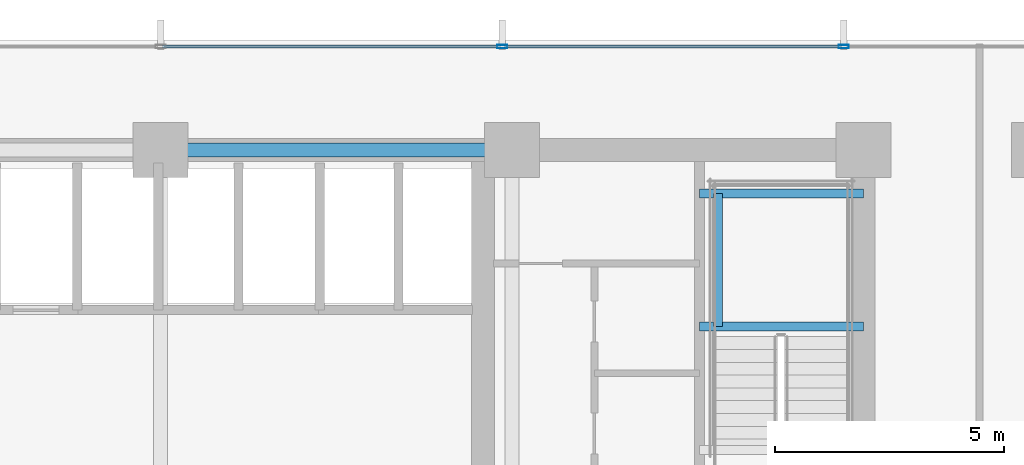
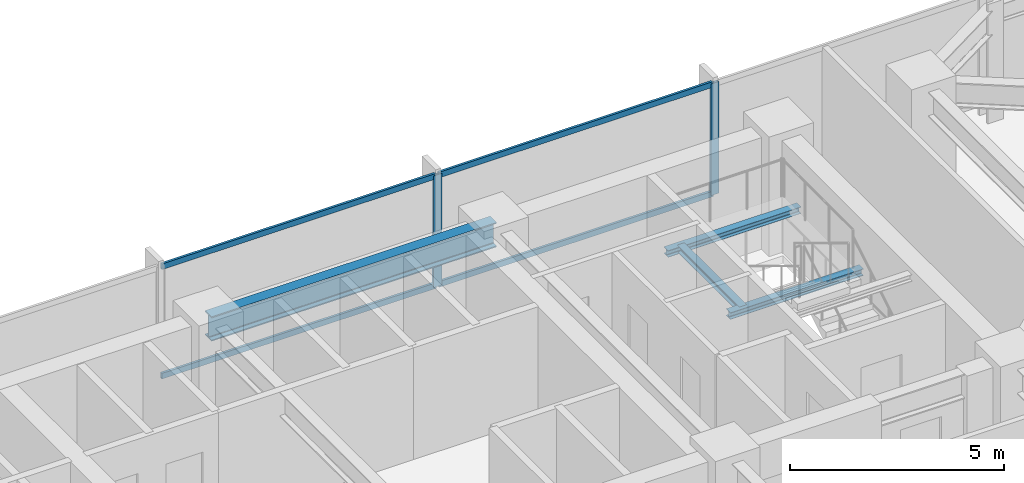
# One storey, part 19 of 32: 6 members, 4 beams, 1 element without a shape of its own.
"""IFC4 building model written with IfcOpenShell, lengths in metres."""

import ifcopenshell
import ifcopenshell.guid

model = None  # the IFC model being written
_history = None  # IfcOwnerHistory: only IFC2X3 demands one
_inside = {}  # id of a spatial element -> (the spatial element, [elements in it])
_under = {}  # id of a project, library or spatial element -> (it, [spatial elements below it])
_declared = {}  # id of a project -> (the project, [libraries it declares])
_typed = {}  # id of a type object -> (the type object, [elements of that type])
_made_of = {}  # id of a material, layer set ... -> (it, [elements and type objects made of it])


def new_model(schema):
    """Start an empty IFC model of exactly this schema.

    Asked for "IFC4X3", IfcOpenShell would pick the latest addendum, in which some entities
    have other attributes; the version numbers below select the first issue.
    IFC2X3 requires an IfcOwnerHistory on every rooted entity: one is made here for all.
    """
    global model, _history
    if schema == "IFC4X3":
        model = ifcopenshell.file(schema_version=(4, 3, 0, 0))
    else:
        model = ifcopenshell.file(schema=schema)
    _inside.clear()
    _under.clear()
    _declared.clear()
    _typed.clear()
    _made_of.clear()
    _history = None
    if model.schema == "IFC2X3":
        org = make("IfcOrganization", Name="unknown")
        user = make(
            "IfcPersonAndOrganization",
            ThePerson=make("IfcPerson", FamilyName="unknown"),
            TheOrganization=org,
        )
        app = make(
            "IfcApplication",
            ApplicationDeveloper=org,
            Version="unknown",
            ApplicationFullName="unknown",
            ApplicationIdentifier="unknown",
        )
        _history = make(
            "IfcOwnerHistory",
            OwningUser=user,
            OwningApplication=app,
            ChangeAction="ADDED",
            CreationDate=0,
        )
    return model


def make(cls, **values):
    """One entity of the class cls with the attributes given. An attribute that is None is left unset."""
    return model.create_entity(
        cls, **{name: value for name, value in values.items() if value is not None}
    )


def rooted(cls, **values):
    """An entity with a GlobalId (a new one), such as an element, a storey or a relation."""
    return make(cls, GlobalId=ifcopenshell.guid.new(), OwnerHistory=_history, **values)


def si_unit(unit_type, name, prefix=None):
    """IfcSIUnit, for example si_unit("LENGTHUNIT", "METRE", prefix="MILLI")."""
    return make("IfcSIUnit", UnitType=unit_type, Prefix=prefix, Name=name)


def assignment(units):
    """IfcUnitAssignment: the units of a project."""
    return None if units is None else make("IfcUnitAssignment", Units=units)


def point(xyz):
    """IfcCartesianPoint."""
    return None if xyz is None else make("IfcCartesianPoint", Coordinates=xyz)


def direction(xyz):
    """IfcDirection."""
    return None if xyz is None else make("IfcDirection", DirectionRatios=xyz)


def frame(location, z_axis=None, x_axis=None):
    """IfcAxis2Placement3D, a coordinate frame: its origin and axes. An axis left out is left unset."""
    return make(
        "IfcAxis2Placement3D",
        Location=point(location),
        Axis=direction(z_axis),
        RefDirection=direction(x_axis),
    )


def frame_2d(location, x_axis=None):
    """IfcAxis2Placement2D, a coordinate frame in the plane: its origin and x axis."""
    return make(
        "IfcAxis2Placement2D", Location=point(location), RefDirection=direction(x_axis)
    )


def origin():
    """The frame at (0, 0, 0) with its axes left unset."""
    return frame((0.0, 0.0, 0.0))


def origin_2d():
    """The frame at (0, 0) in the plane with its x axis left unset."""
    return frame_2d((0.0, 0.0))


def place(relative_to, where):
    """IfcLocalPlacement: puts the frame where relative to a parent placement (None: the world)."""
    return make(
        "IfcLocalPlacement", PlacementRelTo=relative_to, RelativePlacement=where
    )


def context(
    kind, dimensions, precision=None, world=None, true_north=None, identifier=None
):
    """IfcGeometricRepresentationContext, for example the 3D "Model" context."""
    return make(
        "IfcGeometricRepresentationContext",
        ContextIdentifier=identifier,
        ContextType=kind,
        CoordinateSpaceDimension=dimensions,
        Precision=precision,
        WorldCoordinateSystem=world,
        TrueNorth=true_north,
    )


def subcontext(parent, identifier, kind, view, scale=None):
    """IfcGeometricRepresentationSubContext, for example "Body" below "Model"."""
    return make(
        "IfcGeometricRepresentationSubContext",
        ContextIdentifier=identifier,
        ContextType=kind,
        ParentContext=parent,
        TargetScale=scale,
        TargetView=view,
    )


def project(units=None, contexts=None):
    """IfcProject with its units and contexts."""
    return rooted(
        "IfcProject",
        Name="project",
        RepresentationContexts=contexts,
        UnitsInContext=assignment(units),
    )


def spatial(cls, under=None, at=None, **own):
    """A site, building, storey or space (cls), placed at a placement, below another one or the project."""
    s = rooted(cls, ObjectPlacement=at, **own)
    if under is not None:
        _under.setdefault(under.id(), (under, []))[1].append(s)
    return s


def profile(cls, at=None, kind="AREA", **sizes):
    """A parametric profile (cls). Its sizes go by their IFC names, for example OverallWidth=200.0."""
    return make(cls, ProfileType=kind, Position=at, **sizes)


def hollow_rectangle(**sizes):
    """IfcRectangleHollowProfileDef."""
    return profile("IfcRectangleHollowProfileDef", **sizes)


def i_section(**sizes):
    """IfcIShapeProfileDef."""
    return profile("IfcIShapeProfileDef", **sizes)


def extrude(swept, where, along, depth):
    """IfcExtrudedAreaSolid: the profile swept, set in the frame where, extruded along a direction by depth."""
    return make(
        "IfcExtrudedAreaSolid",
        SweptArea=swept,
        Position=where,
        ExtrudedDirection=direction(along),
        Depth=depth,
    )


def shape(context_of_items, identifier, shape_type, items):
    """IfcShapeRepresentation: the items that make up one representation, for example the "Body"."""
    return make(
        "IfcShapeRepresentation",
        ContextOfItems=context_of_items,
        RepresentationIdentifier=identifier,
        RepresentationType=shape_type,
        Items=items,
    )


def material(Name=None, Category=None):
    """IfcMaterial."""
    return make("IfcMaterial", Name=Name, Category=Category)


def material_profile(
    of_material, cross_section, Name=None, Category=None, Priority=None
):
    """IfcMaterialProfile: a cross section and its material."""
    return make(
        "IfcMaterialProfile",
        Name=Name,
        Material=of_material,
        Profile=cross_section,
        Priority=Priority,
        Category=Category,
    )


def profile_set(profiles, Name=None, composite=None):
    """IfcMaterialProfileSet."""
    return make(
        "IfcMaterialProfileSet",
        Name=Name,
        MaterialProfiles=profiles,
        CompositeProfile=composite,
    )


def made_of(thing, what):
    """Note that an element or type object is made of a material, layer set ...; save() writes the relation."""
    if what is not None:
        _made_of.setdefault(what.id(), (what, []))[1].append(thing)
    return thing


def type_object(cls, material=None, **own):
    """A type object (cls), such as IfcWallType, which elements share."""
    return made_of(rooted(cls, **own), material)


def element(
    cls,
    number,
    at=None,
    inside=None,
    cuts=None,
    type_object=None,
    material=None,
    context=None,
    identifier="Body",
    shape_type=None,
    held_by="IfcProductDefinitionShape",
    body=None,
    shapes=None,
    **own,
):
    """One element of the class cls, such as IfcWall. Its Tag is "e" and its number.

    at: its placement. inside: the storey or other place that contains it. cuts: it is an
    opening in that element (IfcRelVoidsElement). A single representation is given by context,
    identifier, shape_type and body (its items); several are given by shapes. held_by: the class
    of the entity that holds the representations. save() writes the other relations.
    """
    e = rooted(cls, Tag="e%d" % number, ObjectPlacement=at, **own)
    if body is not None:
        shapes = [shape(context, identifier, shape_type, body)]
    if shapes is not None:
        e.Representation = make(held_by, Representations=shapes)
    if inside is not None:
        _inside.setdefault(inside.id(), (inside, []))[1].append(e)
    if cuts is not None:
        rooted(
            "IfcRelVoidsElement", RelatingBuildingElement=cuts, RelatedOpeningElement=e
        )
    if type_object is not None:
        _typed.setdefault(type_object.id(), (type_object, []))[1].append(e)
    return made_of(e, material)


def aggregate(whole, parts):
    """IfcRelAggregates: a whole, such as a stair, and the parts it consists of."""
    return rooted("IfcRelAggregates", RelatingObject=whole, RelatedObjects=parts)


def save(model, path):
    """Write the relations noted so far, then the file.

    IfcRelAggregates (storeys below a building ...), IfcRelContainedInSpatialStructure (elements
    in a storey), IfcRelDefinesByType, IfcRelAssociatesMaterial and IfcRelDeclares: one each for
    every whole, place, type object, material and project.
    """
    for whole, parts in _under.values():
        aggregate(whole, parts)
    for where, things in _inside.values():
        rooted(
            "IfcRelContainedInSpatialStructure",
            RelatedElements=things,
            RelatingStructure=where,
        )
    for kind, things in _typed.values():
        rooted("IfcRelDefinesByType", RelatedObjects=things, RelatingType=kind)
    for what, things in _made_of.values():
        rooted("IfcRelAssociatesMaterial", RelatedObjects=things, RelatingMaterial=what)
    for by, libraries in _declared.values():
        rooted("IfcRelDeclares", RelatingContext=by, RelatedDefinitions=libraries)
    model.write(path)


model = new_model("IFC4")

# Units and contexts
model_context = context("Model", 3, precision=1e-05, world=origin(), true_north=direction((0.0, 1.0)))
body_context = subcontext(model_context, "Body", "Model", "MODEL_VIEW")
ifc_project = project(units=[si_unit("LENGTHUNIT", "METRE"), si_unit("AREAUNIT", "SQUARE_METRE"), si_unit("VOLUMEUNIT", "CUBIC_METRE"), si_unit("PLANEANGLEUNIT", "RADIAN"), si_unit("MASSUNIT", "GRAM", prefix="KILO")], contexts=[model_context])

# Site, building, storey
site_placement = place(None, origin())
site = spatial("IfcSite", under=ifc_project, at=site_placement, CompositionType="ELEMENT")
building_placement = place(site_placement, origin())
building = spatial("IfcBuilding", under=site, at=building_placement, Name="Yelkora Congress Tower", CompositionType="ELEMENT")
storey_placement = place(building_placement, frame((0.0, 0.0, 33.800048828125)))
storey = spatial("IfcBuildingStorey", under=building, at=storey_placement, Name="L07", CompositionType="ELEMENT", Elevation=33.800048828125)

# Beams
ifc_material_1 = material(Name="Steel S355J2", Category="steel")
ifc_material_profile_1 = material_profile(ifc_material_1, i_section(OverallWidth=0.300048828125, OverallDepth=0.699951171875, WebThickness=0.01708984375, FlangeThickness=0.031982421875, FilletRadius=0.027099609375, at=origin_2d()), Name="HEB 700")
ifc_profile_set_1 = profile_set([ifc_material_profile_1], Name="Steel S355J2")
beam_type_1 = type_object("IfcBeamType", Name="BM-GIRD-HEB700", PredefinedType="BEAM", material=ifc_profile_set_1)
beam_1_placement = place(storey_placement, frame((38.39990234375, 46.199951171875, 2.829833984375), z_axis=(1.0, 0.0, 0.0), x_axis=(0.0, 1.0, 0.0)))
element("IfcBeam", 1, at=beam_1_placement, inside=storey, type_object=beam_type_1, Name="L07 Core North Girder 4", PredefinedType="BEAM", context=body_context, shape_type="SweptSolid", body=[
    extrude(i_section(OverallWidth=0.300048828125, OverallDepth=0.699951171875, WebThickness=0.01708984375, FlangeThickness=0.031982421875, FilletRadius=0.027099609375, at=origin_2d()), origin(), (0.0, 0.0, 1.0), 7.68017578125),
])
ifc_material_profile_2 = material_profile(ifc_material_1, i_section(OverallWidth=0.199951171875, OverallDepth=0.18994140625, WebThickness=0.006591796875, FlangeThickness=0.010009765625, FilletRadius=0.01806640625, at=origin_2d()), Name="HEA 200")
ifc_profile_set_2 = profile_set([ifc_material_profile_2], Name="Steel S355J2")
beam_type_2 = type_object("IfcBeamType", Name="BM-LAND-HEA200", PredefinedType="BEAM", material=ifc_profile_set_2)
for number, where, z_axis, x_axis, name in (
    (2, (50.179931640625, 42.340087890625, 1.384521484375), (1.0, 0.0, 0.0), (0.0, 1.0, 0.0), "ST-02 L07 Landing Header Beam 1S"),
    (3, (50.179931640625, 45.25, 1.384521484375), (1.0, 0.0, 0.0), (0.0, 1.0, 0.0), "ST-02 L07 Landing Header Beam 1N"),
):
    element("IfcBeam", number, at=place(storey_placement, frame(where, z_axis=z_axis, x_axis=x_axis)), inside=storey, type_object=beam_type_2, Name=name, PredefinedType="BEAM", context=body_context, shape_type="SweptSolid", body=[
        extrude(i_section(OverallWidth=0.199951171875, OverallDepth=0.18994140625, WebThickness=0.006591796875, FlangeThickness=0.010009765625, FilletRadius=0.01806640625, at=origin_2d()), origin(), (0.0, 0.0, 1.0), 3.580078125),
    ])
beam_2_placement = place(storey_placement, frame((50.580078125, 42.340087890625, 1.384521484375), z_axis=(0.0, 1.0, 0.0), x_axis=(-1.0, 0.0, 0.0)))
element("IfcBeam", 4, at=beam_2_placement, inside=storey, type_object=beam_type_2, Name="ST-02 L07 Landing Trimmer Beam 1M", PredefinedType="BEAM", context=body_context, shape_type="SweptSolid", body=[
    extrude(i_section(OverallWidth=0.199951171875, OverallDepth=0.18994140625, WebThickness=0.006591796875, FlangeThickness=0.010009765625, FilletRadius=0.01806640625, at=origin_2d()), origin(), (0.0, 0.0, 1.0), 2.909912109375),
])

# Curtain wall, members
ifc_material_2 = material(Name="Anodised aluminium and insulated glass", Category="aluminium")
curtain_wall_type = type_object("IfcCurtainWallType", Name="CW-SYS-B1", PredefinedType="NOTDEFINED", material=ifc_material_2)
curtain_wall_placement = place(storey_placement, origin())
curtain_wall = element("IfcCurtainWall", 5, at=curtain_wall_placement, inside=storey, type_object=curtain_wall_type, Name="L07 Unitised Curtain Wall 10", PredefinedType="NOTDEFINED")
ifc_material_3 = material(Name="Anodised aluminium 6063-T6", Category="aluminium")
ifc_material_profile_3 = material_profile(ifc_material_3, hollow_rectangle(XDim=0.074951171875, YDim=0.219970703125, WallThickness=0.0048828125, at=origin_2d()), Name="ALU 75x220x5")
ifc_profile_set_3 = profile_set([ifc_material_profile_3], Name="Anodised aluminium 6063-T6")
member_type_1 = type_object("IfcMemberType", Name="MEM-ML-B1", PredefinedType="MULLION", material=ifc_profile_set_3)
member_1_placement = place(storey_placement, frame((45.864990234375, 48.4599609375, 0.0), z_axis=(0.0, 0.0, 1.0), x_axis=(0.0, 1.0, 0.0)))
member_1 = element("IfcMember", 6, at=member_1_placement, type_object=member_type_1, Name="CW-B1 mullion 6", PredefinedType="MULLION", context=body_context, shape_type="SweptSolid", body=[
    extrude(hollow_rectangle(XDim=0.074951171875, YDim=0.219970703125, WallThickness=0.0048828125, at=origin_2d()), origin(), (0.0, 0.0, 1.0), 3.179931640625),
])
member_2_placement = place(storey_placement, frame((53.330078125, 48.4599609375, 0.0), z_axis=(0.0, 0.0, 1.0), x_axis=(0.0, 1.0, 0.0)))
member_2 = element("IfcMember", 7, at=member_2_placement, type_object=member_type_1, Name="CW-B1 mullion 7", PredefinedType="MULLION", context=body_context, shape_type="SweptSolid", body=[
    extrude(hollow_rectangle(XDim=0.074951171875, YDim=0.219970703125, WallThickness=0.0048828125, at=origin_2d()), origin(), (0.0, 0.0, 1.0), 3.179931640625),
])
ifc_material_profile_4 = material_profile(ifc_material_3, hollow_rectangle(XDim=0.06494140625, YDim=0.159912109375, WallThickness=0.00390625, at=origin_2d()), Name="ALU 65x160x4")
ifc_profile_set_4 = profile_set([ifc_material_profile_4], Name="Anodised aluminium 6063-T6")
member_type_2 = type_object("IfcMemberType", Name="MEM-TR-B1", PredefinedType="USERDEFINED", material=ifc_profile_set_4)
member_3_placement = place(storey_placement, frame((38.4375, 48.4599609375, 0.032470703125), z_axis=(1.0, 0.0, 0.0), x_axis=(0.0, 1.0, 0.0)))
member_3 = element("IfcMember", 8, at=member_3_placement, type_object=member_type_2, Name="CW-B1 transom 5.1", ObjectType="TRANSOM", PredefinedType="USERDEFINED", context=body_context, shape_type="SweptSolid", body=[
    extrude(hollow_rectangle(XDim=0.06494140625, YDim=0.159912109375, WallThickness=0.00390625, at=origin_2d()), origin(), (0.0, 0.0, 1.0), 7.389892578125),
])
member_4_placement = place(storey_placement, frame((38.4375, 48.4599609375, 3.1474609375), z_axis=(1.0, 0.0, 0.0), x_axis=(0.0, 1.0, 0.0)))
member_4 = element("IfcMember", 9, at=member_4_placement, type_object=member_type_2, Name="CW-B1 transom 5.2", ObjectType="TRANSOM", PredefinedType="USERDEFINED", context=body_context, shape_type="SweptSolid", body=[
    extrude(hollow_rectangle(XDim=0.06494140625, YDim=0.159912109375, WallThickness=0.00390625, at=origin_2d()), origin(), (0.0, 0.0, 1.0), 7.389892578125),
])
member_5_placement = place(storey_placement, frame((45.902587890625, 48.4599609375, 0.032470703125), z_axis=(1.0, 0.0, 0.0), x_axis=(0.0, 1.0, 0.0)))
member_5 = element("IfcMember", 10, at=member_5_placement, type_object=member_type_2, Name="CW-B1 transom 6.1", ObjectType="TRANSOM", PredefinedType="USERDEFINED", context=body_context, shape_type="SweptSolid", body=[
    extrude(hollow_rectangle(XDim=0.06494140625, YDim=0.159912109375, WallThickness=0.00390625, at=origin_2d()), origin(), (0.0, 0.0, 1.0), 7.389892578125),
])
member_6_placement = place(storey_placement, frame((45.902587890625, 48.4599609375, 3.1474609375), z_axis=(1.0, 0.0, 0.0), x_axis=(0.0, 1.0, 0.0)))
member_6 = element("IfcMember", 11, at=member_6_placement, type_object=member_type_2, Name="CW-B1 transom 6.2", ObjectType="TRANSOM", PredefinedType="USERDEFINED", context=body_context, shape_type="SweptSolid", body=[
    extrude(hollow_rectangle(XDim=0.06494140625, YDim=0.159912109375, WallThickness=0.00390625, at=origin_2d()), origin(), (0.0, 0.0, 1.0), 7.389892578125),
])
aggregate(curtain_wall, [member_1, member_2, member_3, member_4, member_5, member_6])

save(model, "model.ifc")
